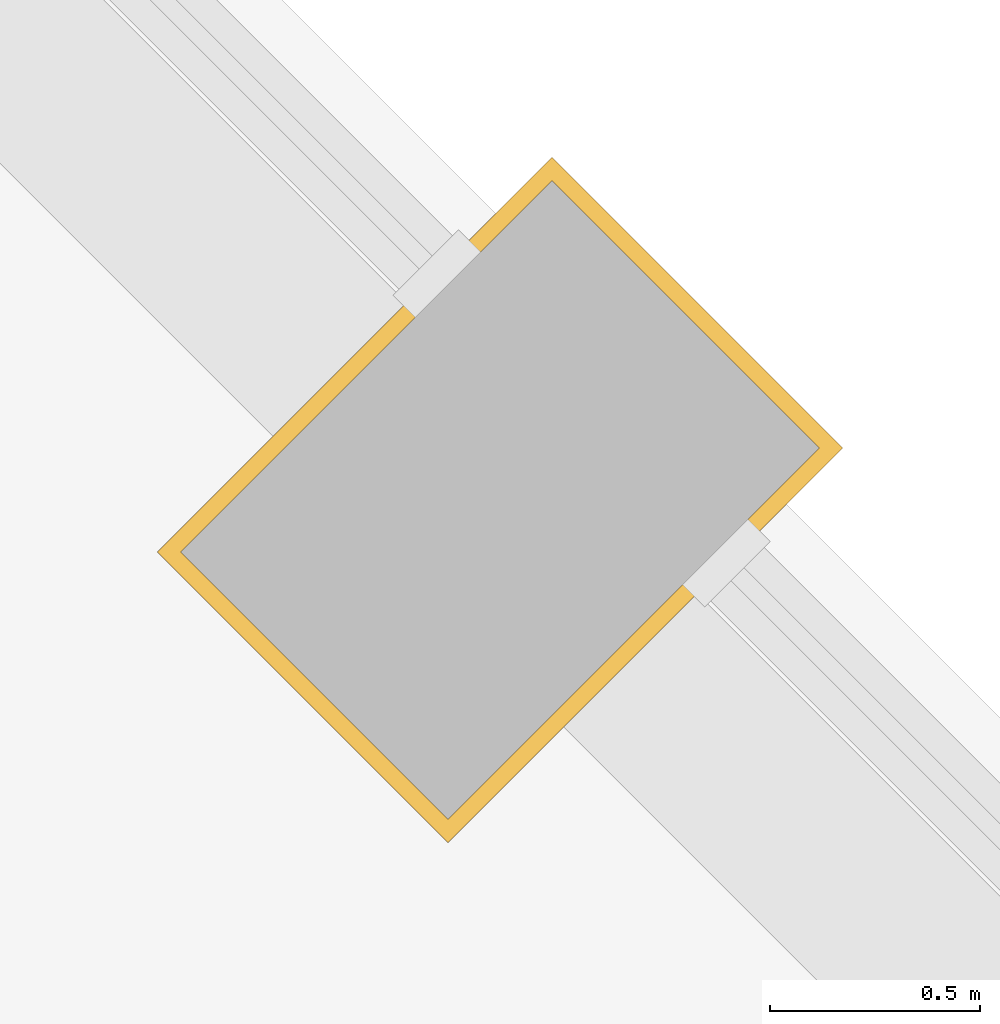
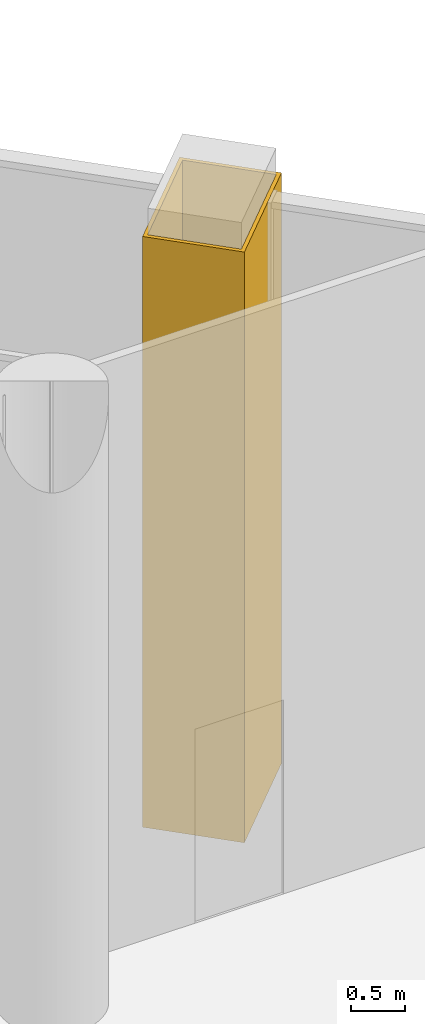
# One storey, part 21 of 22: 1 covering.
"""IFC4 building model written with IfcOpenShell, lengths in metres."""

from ifc_helpers import new_model, si_unit, direction, frame, origin, place, context, subcontext, project, spatial, polyline, outline, extrude, material, layer, layer_set, type_object, element, save


model = new_model("IFC4")

# Units and contexts
model_context = context("Model", 3, precision=1e-05, world=origin(), true_north=direction((0.0, 1.0)))
body_context = subcontext(model_context, "Body", "Model", "MODEL_VIEW")
ifc_project = project(units=[si_unit("LENGTHUNIT", "METRE"), si_unit("AREAUNIT", "SQUARE_METRE"), si_unit("VOLUMEUNIT", "CUBIC_METRE"), si_unit("PLANEANGLEUNIT", "RADIAN"), si_unit("MASSUNIT", "GRAM", prefix="KILO")], contexts=[model_context])

# Site, building, storey
site_placement = place(None, origin())
site = spatial("IfcSite", under=ifc_project, at=site_placement, CompositionType="ELEMENT")
building_placement = place(site_placement, origin())
building = spatial("IfcBuilding", under=site, at=building_placement, Name="Cypress Arch Tower", CompositionType="ELEMENT")
storey_placement = place(building_placement, frame((0.0, 0.0, 145.5)))
storey = spatial("IfcBuildingStorey", under=building, at=storey_placement, Name="L32", CompositionType="ELEMENT", Elevation=145.5)

# Covering
ifc_material = material(Name="Painted plasterboard column casing")
ifc_layer = layer(ifc_material, 0.0400390625)
ifc_layer_set = layer_set([ifc_layer], Name="Column casing CK40")
covering_type = type_object("IfcCoveringType", Name="Column casing CK40", PredefinedType="CLADDING", material=ifc_layer_set)
covering_placement = place(storey_placement, origin())
element("IfcCovering", 1, at=covering_placement, inside=storey, type_object=covering_type, Name="Column casing L32 CA18", PredefinedType="CLADDING", context=body_context, shape_type="SweptSolid", body=[
    extrude(outline(polyline([(19.080810546875, 19.787841796875), (18.140380859375, 18.847412109375), (17.447509765625, 19.540283203125), (18.387939453125, 20.480712890625), (19.080810546875, 19.787841796875)]), holes=[polyline([(19.024169921875, 19.787841796875), (18.387939453125, 20.42431640625), (17.50390625, 19.540283203125), (18.140380859375, 18.904052734375), (19.024169921875, 19.787841796875)])]), origin(), (0.0, 0.0, 1.0), 6.699951171875),
])

save(model, "model.ifc")
